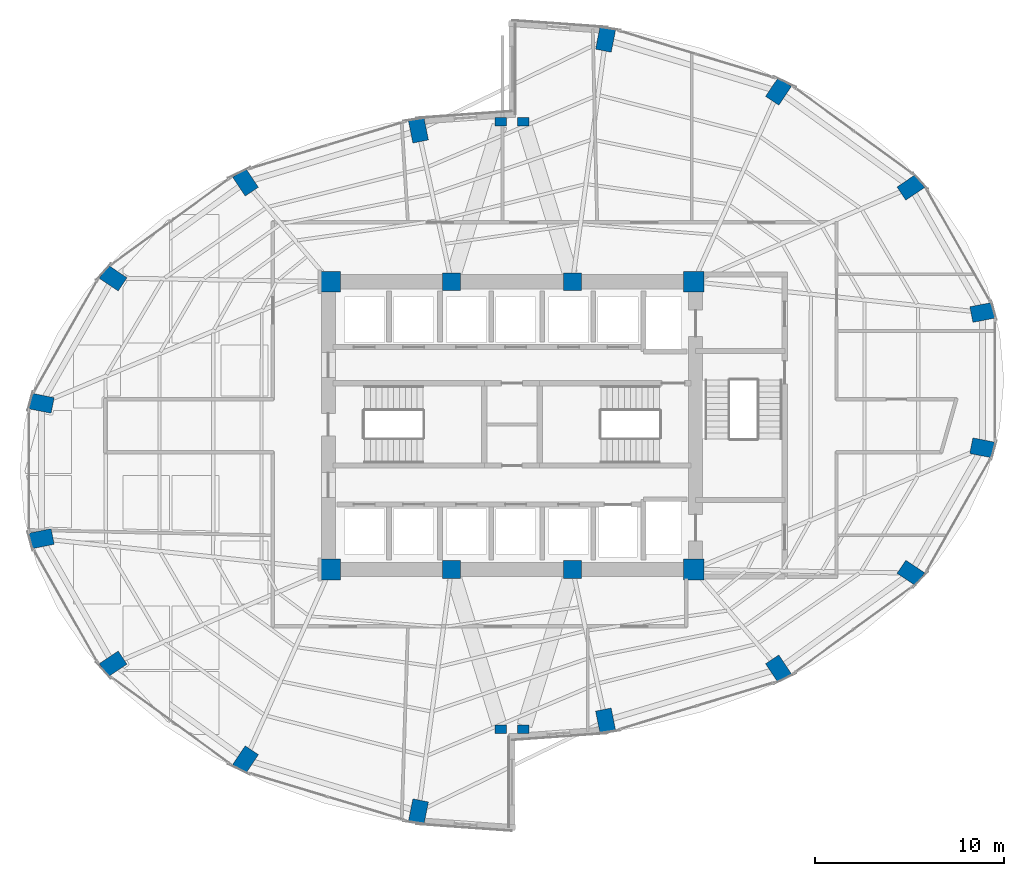
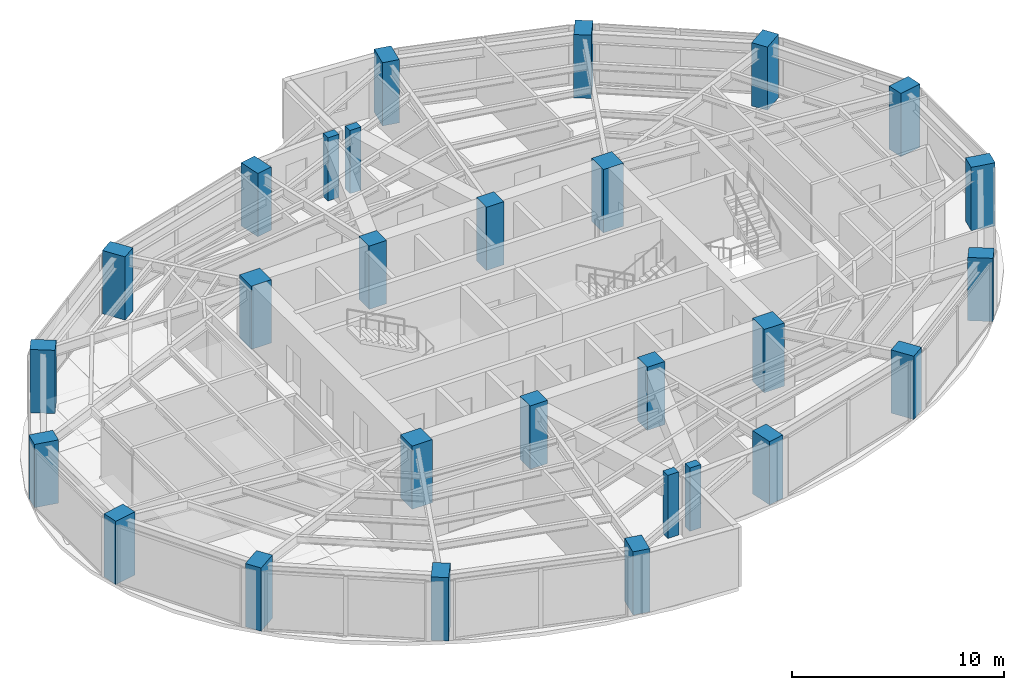
# One storey, part 1 of 23: 28 columns.
"""IFC4 building model written with IfcOpenShell, lengths in metres."""

from ifc_helpers import new_model, si_unit, direction, frame, origin, origin_2d, place, context, subcontext, project, spatial, rectangle, extrude, material, material_profile, profile_set, type_object, element, save


model = new_model("IFC4")

# Units and contexts
model_context = context("Model", 3, precision=1e-05, world=origin(), true_north=direction((0.0, 1.0)))
body_context = subcontext(model_context, "Body", "Model", "MODEL_VIEW")
ifc_project = project(units=[si_unit("LENGTHUNIT", "METRE"), si_unit("AREAUNIT", "SQUARE_METRE"), si_unit("VOLUMEUNIT", "CUBIC_METRE"), si_unit("PLANEANGLEUNIT", "RADIAN"), si_unit("MASSUNIT", "GRAM", prefix="KILO")], contexts=[model_context])

# Site, building, storey
site_placement = place(None, origin())
site = spatial("IfcSite", under=ifc_project, at=site_placement, CompositionType="ELEMENT")
building_placement = place(site_placement, origin())
building = spatial("IfcBuilding", under=site, at=building_placement, Name="Lazwardi Medical Tower", CompositionType="ELEMENT")
storey_placement = place(building_placement, frame((0.0, 0.0, 107.280029296875)))
storey = spatial("IfcBuildingStorey", under=building, at=storey_placement, Name="L27", CompositionType="ELEMENT", Elevation=107.280029296875)

# Columns
ifc_material_1 = material(Name="Concrete C80/95", Category="concrete")
ifc_material_profile_1 = material_profile(ifc_material_1, rectangle(XDim=1.10009765625, YDim=1.10009765625, at=origin_2d()), Name="RC 1100x1100")
ifc_profile_set_1 = profile_set([ifc_material_profile_1], Name="Concrete C80/95")
column_type_1 = type_object("IfcColumnType", Name="COL-CC-L", PredefinedType="COLUMN", material=ifc_profile_set_1)
for number, where, z_axis, x_axis, name in (
    (1, (26.39990234375, 20.39990234375, 0.0), (0.0, 0.0, 1.0), (1.0, 0.0, 0.0), "Core column CC-01 CC1 L27"),
    (2, (45.60009765625, 20.39990234375, 0.0), (0.0, 0.0, 1.0), (1.0, 0.0, 0.0), "Core column CC-01 CC4 L27"),
    (3, (45.60009765625, 35.60009765625, 0.0), (0.0, 0.0, 1.0), (1.0, 0.0, 0.0), "Core column CC-01 CC5 L27"),
    (4, (26.39990234375, 35.60009765625, 0.0), (0.0, 0.0, 1.0), (1.0, 0.0, 0.0), "Core column CC-01 CC8 L27"),
):
    element("IfcColumn", number, at=place(storey_placement, frame(where, z_axis=z_axis, x_axis=x_axis)), inside=storey, type_object=column_type_1, Name=name, PredefinedType="COLUMN", context=body_context, shape_type="SweptSolid", body=[
        extrude(rectangle(XDim=1.10009765625, YDim=1.10009765625, at=origin_2d()), origin(), (0.0, 0.0, 1.0), 3.64794921875),
    ])
ifc_material_2 = material(Name="Concrete C70/85", Category="concrete")
ifc_material_profile_2 = material_profile(ifc_material_2, rectangle(XDim=0.949951171875, YDim=0.949951171875, at=origin_2d()), Name="RC 950x950")
ifc_profile_set_2 = profile_set([ifc_material_profile_2], Name="Concrete C70/85")
column_type_2 = type_object("IfcColumnType", Name="COL-CC-M", PredefinedType="COLUMN", material=ifc_profile_set_2)
for number, where, z_axis, x_axis, name in (
    (5, (32.800048828125, 20.39990234375, 0.0), (0.0, 0.0, 1.0), (1.0, 0.0, 0.0), "Core column CC-02 CC2 L27"),
    (6, (39.199951171875, 20.39990234375, 0.0), (0.0, 0.0, 1.0), (1.0, 0.0, 0.0), "Core column CC-02 CC3 L27"),
    (7, (39.199951171875, 35.60009765625, 0.0), (0.0, 0.0, 1.0), (1.0, 0.0, 0.0), "Core column CC-02 CC6 L27"),
    (8, (32.800048828125, 35.60009765625, 0.0), (0.0, 0.0, 1.0), (1.0, 0.0, 0.0), "Core column CC-02 CC7 L27"),
):
    element("IfcColumn", number, at=place(storey_placement, frame(where, z_axis=z_axis, x_axis=x_axis)), inside=storey, type_object=column_type_2, Name=name, PredefinedType="COLUMN", context=body_context, shape_type="SweptSolid", body=[
        extrude(rectangle(XDim=0.949951171875, YDim=0.949951171875, at=origin_2d()), origin(), (0.0, 0.0, 1.0), 3.64794921875),
    ])
ifc_material_profile_3 = material_profile(ifc_material_2, rectangle(XDim=1.199951171875, YDim=0.840087890625, at=origin_2d()), Name="CFT-RECT 1200x840")
ifc_profile_set_3 = profile_set([ifc_material_profile_3], Name="Concrete C70/85")
column_type_3 = type_object("IfcColumnType", Name="COL-MC-Z2", PredefinedType="COLUMN", material=ifc_profile_set_3)
for number, where, z_axis, x_axis, name in (
    (9, (40.945556640625, 12.402587890625, 0.0), (0.0, 0.0, 1.0), (0.195090322016, -0.980785280403, 0.0), "Mega column MC-04 M01 L27"),
    (10, (50.083740234375, 15.142578125, 0.0), (0.0, 0.0, 1.0), (0.55557023302, -0.831469612303, 0.0), "Mega column MC-04 M02 L27"),
    (11, (57.077880859375, 20.205322265625, 0.0), (0.0, 0.0, 1.0), (0.831469612303, -0.55557023302, 0.0), "Mega column MC-04 M03 L27"),
    (12, (60.86279296875, 26.820068359375, 0.0), (0.0, 0.0, 1.0), (0.980785280403, -0.195090322016, 0.0), "Mega column MC-04 M04 L27"),
    (13, (60.86279296875, 33.97998046875, 0.0), (0.0, 0.0, 1.0), (0.980785280403, 0.195090322016, 0.0), "Mega column MC-04 M05 L27"),
    (14, (57.077880859375, 40.5947265625, 0.0), (0.0, 0.0, 1.0), (0.831469612303, 0.55557023302, 0.0), "Mega column MC-04 M06 L27"),
    (15, (50.083740234375, 45.657470703125, 0.0), (0.0, 0.0, 1.0), (0.55557023302, 0.831469612303, 0.0), "Mega column MC-04 M07 L27"),
    (16, (40.945556640625, 48.3974609375, 0.0), (0.0, 0.0, 1.0), (0.195090322016, 0.980785280403, 0.0), "Mega column MC-04 M08 L27"),
    (17, (31.054443359375, 43.597412109375, 0.0), (0.0, 0.0, 1.0), (-0.195090322016, 0.980785280403, 0.0), "Mega column MC-04 M09 L27"),
    (18, (21.916259765625, 40.857421875, 0.0), (0.0, 0.0, 1.0), (-0.55557023302, 0.831469612303, 0.0), "Mega column MC-04 M10 L27"),
    (19, (14.922119140625, 35.794677734375, 0.0), (0.0, 0.0, 1.0), (-0.831469612303, 0.55557023302, 0.0), "Mega column MC-04 M11 L27"),
    (20, (11.13720703125, 29.179931640625, 0.0), (0.0, 0.0, 1.0), (-0.980785280403, 0.195090322016, 0.0), "Mega column MC-04 M12 L27"),
    (21, (11.13720703125, 22.02001953125, 0.0), (0.0, 0.0, 1.0), (-0.980785280403, -0.195090322016, 0.0), "Mega column MC-04 M13 L27"),
    (22, (14.922119140625, 15.4052734375, 0.0), (0.0, 0.0, 1.0), (-0.831469612303, -0.55557023302, 0.0), "Mega column MC-04 M14 L27"),
    (23, (21.916259765625, 10.342529296875, 0.0), (0.0, 0.0, 1.0), (-0.55557023302, -0.831469612303, 0.0), "Mega column MC-04 M15 L27"),
    (24, (31.054443359375, 7.6025390625, 0.0), (0.0, 0.0, 1.0), (-0.195090322016, -0.980785280403, 0.0), "Mega column MC-04 M16 L27"),
):
    element("IfcColumn", number, at=place(storey_placement, frame(where, z_axis=z_axis, x_axis=x_axis)), inside=storey, type_object=column_type_3, Name=name, PredefinedType="COLUMN", context=body_context, shape_type="SweptSolid", body=[
        extrude(rectangle(XDim=1.199951171875, YDim=0.840087890625, at=origin_2d()), origin(), (0.0, 0.0, 1.0), 3.64794921875),
    ])
ifc_material_3 = material(Name="Concrete C60/75", Category="concrete")
ifc_material_profile_4 = material_profile(ifc_material_3, rectangle(XDim=0.60009765625, YDim=0.449951171875, at=origin_2d()), Name="RC 600x450")
ifc_profile_set_4 = profile_set([ifc_material_profile_4], Name="Concrete C60/75")
column_type_4 = type_object("IfcColumnType", Name="COL-PL-IW", PredefinedType="PILASTER", material=ifc_profile_set_4)
for number, where, z_axis, x_axis, name in (
    (25, (35.39990234375, 44.050048828125, 0.0), (0.0, 0.0, 1.0), (1.0, 0.0, 0.0), "Iwan pilaster column PL-C1 PL1 L27"),
    (26, (36.60009765625, 44.050048828125, 0.0), (0.0, 0.0, 1.0), (1.0, 0.0, 0.0), "Iwan pilaster column PL-C1 PL2 L27"),
    (27, (35.39990234375, 11.949951171875, 0.0), (0.0, 0.0, 1.0), (1.0, 0.0, 0.0), "Iwan pilaster column PL-C1 PL3 L27"),
    (28, (36.60009765625, 11.949951171875, 0.0), (0.0, 0.0, 1.0), (1.0, 0.0, 0.0), "Iwan pilaster column PL-C1 PL4 L27"),
):
    element("IfcColumn", number, at=place(storey_placement, frame(where, z_axis=z_axis, x_axis=x_axis)), inside=storey, type_object=column_type_4, Name=name, PredefinedType="PILASTER", context=body_context, shape_type="SweptSolid", body=[
        extrude(rectangle(XDim=0.60009765625, YDim=0.449951171875, at=origin_2d()), origin(), (0.0, 0.0, 1.0), 3.64794921875),
    ])

save(model, "model.ifc")
